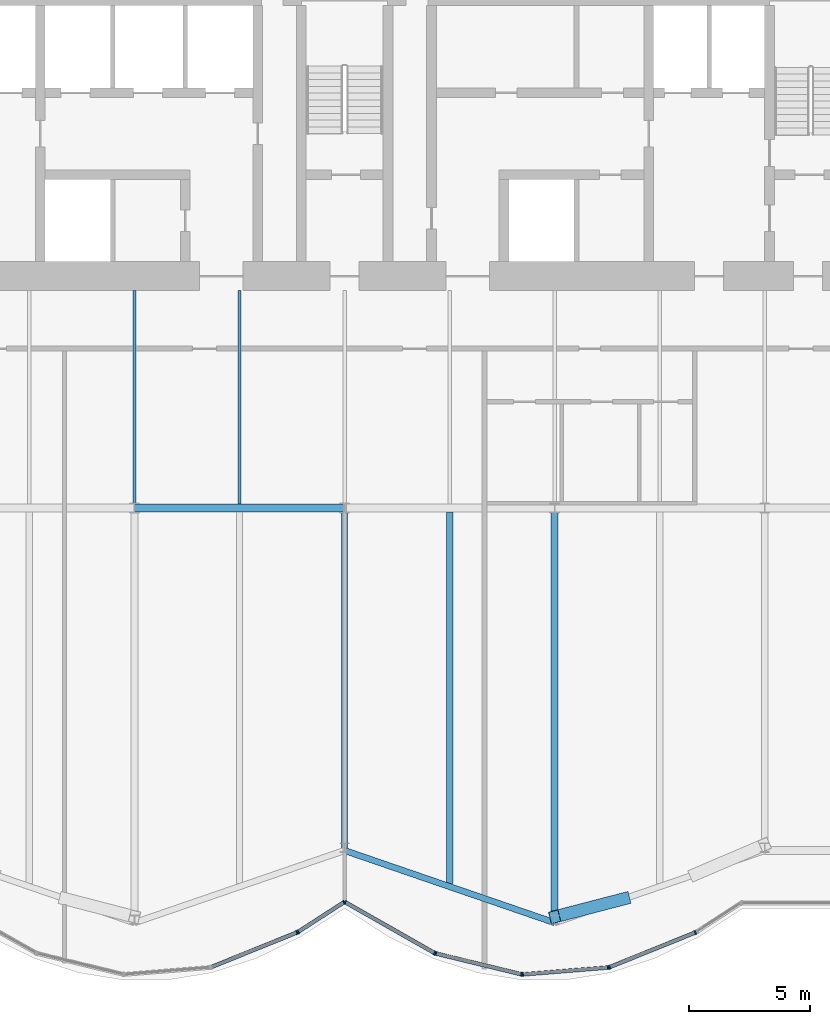
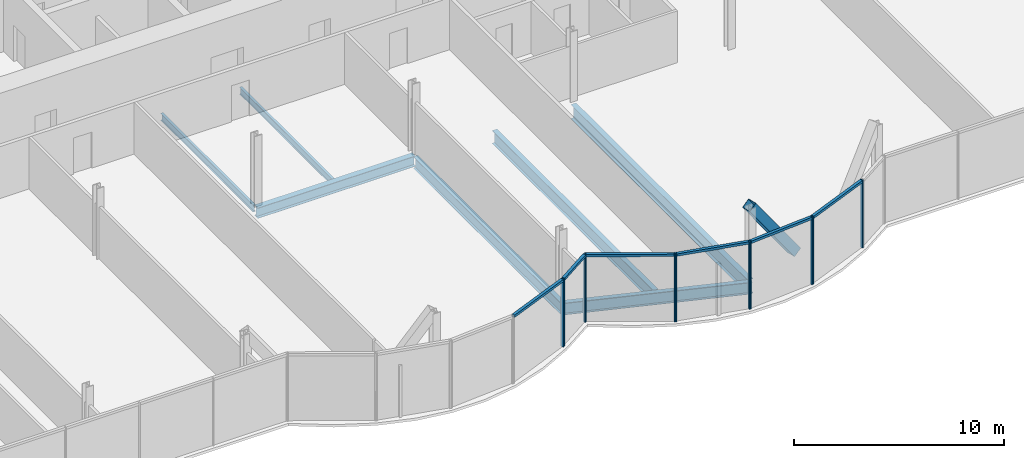
# One storey, part 7 of 21: 18 members, 7 beams, 2 elements without a shape of their own.
"""IFC4 building model written with IfcOpenShell, lengths in metres."""

from ifc_helpers import new_model, si_unit, direction, frame, origin, origin_2d, place, context, subcontext, project, spatial, rectangle, hollow_rectangle, i_section, extrude, material, material_profile, profile_set, type_object, element, aggregate, save


model = new_model("IFC4")

# Units and contexts
model_context = context("Model", 3, precision=1e-05, world=origin(), true_north=direction((0.0, 1.0)))
body_context = subcontext(model_context, "Body", "Model", "MODEL_VIEW")
ifc_project = project(units=[si_unit("LENGTHUNIT", "METRE"), si_unit("AREAUNIT", "SQUARE_METRE"), si_unit("VOLUMEUNIT", "CUBIC_METRE"), si_unit("PLANEANGLEUNIT", "RADIAN"), si_unit("MASSUNIT", "GRAM", prefix="KILO")], contexts=[model_context])

# Site, building, storey
site_placement = place(None, origin())
site = spatial("IfcSite", under=ifc_project, at=site_placement, CompositionType="ELEMENT")
building_placement = place(site_placement, origin())
building = spatial("IfcBuilding", under=site, at=building_placement, Name="Bicima Exchange Tower", CompositionType="ELEMENT")
storey_placement = place(building_placement, frame((0.0, 0.0, 98.10009765625)))
storey = spatial("IfcBuildingStorey", under=building, at=storey_placement, Name="L20", CompositionType="ELEMENT", Elevation=98.10009765625)

# Beams
ifc_material_1 = material(Name="Steel ASTM A992 Gr 50", Category="steel")
ifc_material_profile_1 = material_profile(ifc_material_1, i_section(OverallWidth=0.140380859375, OverallDepth=0.40380859375, WebThickness=0.007080078125, FlangeThickness=0.01123046875, at=origin_2d()))
ifc_profile_set_1 = profile_set([ifc_material_profile_1], Name="Steel ASTM A992 Gr 50")
beam_type_1 = type_object("IfcBeamType", Name="Floor beam W16x31", PredefinedType="JOIST", material=ifc_profile_set_1)
for number, where, z_axis, x_axis, name in (
    (1, (-8.699951171875, -13.0, -0.35205078125), (0.0, -1.0, 0.0), (1.0, 0.0, 0.0), "Floor beam"),
    (2, (-4.35009765625, -13.0, -0.35205078125), (0.0, -1.0, 0.0), (1.0, 0.0, 0.0), "Floor beam"),
):
    element("IfcBeam", number, at=place(storey_placement, frame(where, z_axis=z_axis, x_axis=x_axis)), inside=storey, type_object=beam_type_1, Name=name, PredefinedType="JOIST", context=body_context, shape_type="SweptSolid", body=[
        extrude(i_section(OverallWidth=0.140380859375, OverallDepth=0.40380859375, WebThickness=0.007080078125, FlangeThickness=0.01123046875, at=origin_2d()), origin(), (0.0, 0.0, 1.0), 8.83740234375),
    ])
ifc_material_profile_2 = material_profile(ifc_material_1, i_section(OverallWidth=0.25390625, OverallDepth=0.67822265625, WebThickness=0.01171875, FlangeThickness=0.016357421875, at=origin_2d()))
ifc_profile_set_2 = profile_set([ifc_material_profile_2], Name="Steel ASTM A992 Gr 50")
beam_type_2 = type_object("IfcBeamType", Name="Floor beam W27x84", PredefinedType="JOIST", material=ifc_profile_set_2)
beam_1_placement = place(storey_placement, frame((0.0, -22.16259765625, -0.4892578125), z_axis=(0.0, -1.0, 0.0), x_axis=(1.0, 0.0, 0.0)))
element("IfcBeam", 3, at=beam_1_placement, inside=storey, type_object=beam_type_2, Name="Floor beam", PredefinedType="JOIST", context=body_context, shape_type="SweptSolid", body=[
    extrude(i_section(OverallWidth=0.25390625, OverallDepth=0.67822265625, WebThickness=0.01171875, FlangeThickness=0.016357421875, at=origin_2d()), origin(), (0.0, 0.0, 1.0), 14.021484375),
])
ifc_material_profile_3 = material_profile(ifc_material_1, i_section(OverallWidth=0.2666015625, OverallDepth=0.75439453125, WebThickness=0.01318359375, FlangeThickness=0.01708984375, at=origin_2d()))
ifc_profile_set_3 = profile_set([ifc_material_profile_3], Name="Steel ASTM A992 Gr 50")
beam_type_3 = type_object("IfcBeamType", Name="Floor beam W30x99", PredefinedType="JOIST", material=ifc_profile_set_3)
beam_2_placement = place(storey_placement, frame((4.35009765625, -22.16259765625, -0.52734375), z_axis=(0.0, -1.0, 0.0), x_axis=(1.0, 0.0, 0.0)))
element("IfcBeam", 4, at=beam_2_placement, inside=storey, type_object=beam_type_3, Name="Floor beam", PredefinedType="JOIST", context=body_context, shape_type="SweptSolid", body=[
    extrude(i_section(OverallWidth=0.2666015625, OverallDepth=0.75439453125, WebThickness=0.01318359375, FlangeThickness=0.01708984375, at=origin_2d()), origin(), (0.0, 0.0, 1.0), 15.38134765625),
])
ifc_material_profile_4 = material_profile(ifc_material_1, i_section(OverallWidth=0.2919921875, OverallDepth=0.835693359375, WebThickness=0.013916015625, FlangeThickness=0.018798828125, at=origin_2d()))
ifc_profile_set_4 = profile_set([ifc_material_profile_4], Name="Steel ASTM A992 Gr 50")
beam_type_4 = type_object("IfcBeamType", Name="Floor beam W33x118", PredefinedType="JOIST", material=ifc_profile_set_4)
beam_3_placement = place(storey_placement, frame((8.699951171875, -22.16259765625, -0.56787109375), z_axis=(0.0, -1.0, 0.0), x_axis=(1.0, 0.0, 0.0)))
element("IfcBeam", 5, at=beam_3_placement, inside=storey, type_object=beam_type_4, Name="Floor beam", PredefinedType="JOIST", context=body_context, shape_type="SweptSolid", body=[
    extrude(i_section(OverallWidth=0.2919921875, OverallDepth=0.835693359375, WebThickness=0.013916015625, FlangeThickness=0.018798828125, at=origin_2d()), origin(), (0.0, 0.0, 1.0), 16.876708984375),
])
ifc_material_profile_5 = material_profile(ifc_material_1, i_section(OverallWidth=0.256591796875, OverallDepth=0.693359375, WebThickness=0.014404296875, FlangeThickness=0.023681640625, at=origin_2d()))
ifc_profile_set_5 = profile_set([ifc_material_profile_5], Name="Steel ASTM A992 Gr 50")
beam_type_5 = type_object("IfcBeamType", Name="Front girder W27x114", PredefinedType="BEAM", material=ifc_profile_set_5)
beam_4_placement = place(storey_placement, frame((0.0, -36.18408203125, -0.496826171875), z_axis=(0.945674616091, -0.32511462668, 0.0), x_axis=(0.32511462668, 0.945674616091, 0.0)))
element("IfcBeam", 6, at=beam_4_placement, inside=storey, type_object=beam_type_5, Name="Front girder", PredefinedType="BEAM", context=body_context, shape_type="SweptSolid", body=[
    extrude(i_section(OverallWidth=0.256591796875, OverallDepth=0.693359375, WebThickness=0.014404296875, FlangeThickness=0.023681640625, at=origin_2d()), origin(), (0.0, 0.0, 1.0), 9.19970703125),
])

# Curtain wall, members
ifc_material_2 = material(Name="Anodised bronze aluminium", Category="aluminium")
curtain_wall_type = type_object("IfcCurtainWallType", Name="Front glass wall", PredefinedType="NOTDEFINED", material=ifc_material_2)
curtain_wall_1_placement = place(storey_placement, origin())
curtain_wall_1 = element("IfcCurtainWall", 7, at=curtain_wall_1_placement, inside=storey, type_object=curtain_wall_type, Name="Front glass wall L20 run 6", PredefinedType="NOTDEFINED")
ifc_material_profile_6 = material_profile(ifc_material_2, rectangle(XDim=0.159912109375, YDim=0.06005859375, at=origin_2d()))
ifc_profile_set_6 = profile_set([ifc_material_profile_6], Name="Anodised bronze aluminium")
member_type_1 = type_object("IfcMemberType", Name="Front glass wall mullion 60 x 160", PredefinedType="MULLION", material=ifc_profile_set_6)
member_1_placement = place(storey_placement, frame((-1.97412109375, -39.57958984375, 0.0), z_axis=(0.0, 0.0, 1.0), x_axis=(-0.374705304, 0.92714396679, 0.0)))
member_1 = element("IfcMember", 8, at=member_1_placement, type_object=member_type_1, Name="Front glass wall mullion 2", PredefinedType="MULLION", context=body_context, shape_type="SweptSolid", body=[
    extrude(rectangle(XDim=0.159912109375, YDim=0.06005859375, at=origin_2d()), origin(), (0.0, 0.0, 1.0), 3.949951171875),
])
member_2_placement = place(storey_placement, frame((-1.921142578125, -39.552001953125, 0.0), z_axis=(0.0, 0.0, 1.0), x_axis=(-0.542897457326, 0.839798994301, 0.0)))
member_2 = element("IfcMember", 9, at=member_2_placement, type_object=member_type_1, Name="Front glass wall mullion 1", PredefinedType="MULLION", context=body_context, shape_type="SweptSolid", body=[
    extrude(rectangle(XDim=0.159912109375, YDim=0.06005859375, at=origin_2d()), origin(), (0.0, 0.0, 1.0), 3.949951171875),
])
member_3_placement = place(storey_placement, frame((-0.025146484375, -38.326416015625, 0.0), z_axis=(0.0, 0.0, 1.0), x_axis=(-0.542897457326, 0.839798994301, 0.0)))
member_3 = element("IfcMember", 10, at=member_3_placement, type_object=member_type_1, Name="Front glass wall mullion 2", PredefinedType="MULLION", context=body_context, shape_type="SweptSolid", body=[
    extrude(rectangle(XDim=0.159912109375, YDim=0.06005859375, at=origin_2d()), origin(), (0.0, 0.0, 1.0), 3.949951171875),
])

curtain_wall_2_placement = place(storey_placement, origin())
curtain_wall_2 = element("IfcCurtainWall", 11, at=curtain_wall_2_placement, inside=storey, type_object=curtain_wall_type, Name="Front glass wall L20 run 11", PredefinedType="NOTDEFINED")
member_4_placement = place(storey_placement, frame((0.026123046875, -38.324951171875, 0.0), z_axis=(0.0, 0.0, 1.0), x_axis=(0.494330311331, 0.869274147378, 0.0)))
member_4 = element("IfcMember", 12, at=member_4_placement, type_object=member_type_1, Name="Front glass wall mullion 1", PredefinedType="MULLION", context=body_context, shape_type="SweptSolid", body=[
    extrude(rectangle(XDim=0.159912109375, YDim=0.06005859375, at=origin_2d()), origin(), (0.0, 0.0, 1.0), 3.949951171875),
])
member_5_placement = place(storey_placement, frame((3.7265625, -40.429443359375, 0.0), z_axis=(0.0, 0.0, 1.0), x_axis=(0.494330311331, 0.869274147378, 0.0)))
member_5 = element("IfcMember", 13, at=member_5_placement, type_object=member_type_1, Name="Front glass wall mullion 2", PredefinedType="MULLION", context=body_context, shape_type="SweptSolid", body=[
    extrude(rectangle(XDim=0.159912109375, YDim=0.06005859375, at=origin_2d()), origin(), (0.0, 0.0, 1.0), 3.949951171875),
])
member_6_placement = place(storey_placement, frame((3.781982421875, -40.451416015625, 0.0), z_axis=(0.0, 0.0, 1.0), x_axis=(0.235681529503, 0.971830343553, 0.0)))
member_6 = element("IfcMember", 14, at=member_6_placement, type_object=member_type_1, Name="Front glass wall mullion 1", PredefinedType="MULLION", context=body_context, shape_type="SweptSolid", body=[
    extrude(rectangle(XDim=0.159912109375, YDim=0.06005859375, at=origin_2d()), origin(), (0.0, 0.0, 1.0), 3.949951171875),
])
member_7_placement = place(storey_placement, frame((7.322509765625, -41.309814453125, 0.0), z_axis=(0.0, 0.0, 1.0), x_axis=(0.235681529503, 0.971830343553, 0.0)))
member_7 = element("IfcMember", 15, at=member_7_placement, type_object=member_type_1, Name="Front glass wall mullion 2", PredefinedType="MULLION", context=body_context, shape_type="SweptSolid", body=[
    extrude(rectangle(XDim=0.159912109375, YDim=0.06005859375, at=origin_2d()), origin(), (0.0, 0.0, 1.0), 3.949951171875),
])
member_8_placement = place(storey_placement, frame((7.381591796875, -41.314697265625, 0.0), z_axis=(0.0, 0.0, 1.0), x_axis=(-0.080588612633, 0.99674744821, 0.0)))
member_8 = element("IfcMember", 16, at=member_8_placement, type_object=member_type_1, Name="Front glass wall mullion 1", PredefinedType="MULLION", context=body_context, shape_type="SweptSolid", body=[
    extrude(rectangle(XDim=0.159912109375, YDim=0.06005859375, at=origin_2d()), origin(), (0.0, 0.0, 1.0), 3.949951171875),
])
member_9_placement = place(storey_placement, frame((10.916015625, -41.02880859375, 0.0), z_axis=(0.0, 0.0, 1.0), x_axis=(-0.080588612633, 0.99674744821, 0.0)))
member_9 = element("IfcMember", 17, at=member_9_placement, type_object=member_type_1, Name="Front glass wall mullion 2", PredefinedType="MULLION", context=body_context, shape_type="SweptSolid", body=[
    extrude(rectangle(XDim=0.159912109375, YDim=0.06005859375, at=origin_2d()), origin(), (0.0, 0.0, 1.0), 3.949951171875),
])
member_10_placement = place(storey_placement, frame((10.973876953125, -41.01513671875, 0.0), z_axis=(0.0, 0.0, 1.0), x_axis=(-0.374705304, 0.92714396679, 0.0)))
member_10 = element("IfcMember", 18, at=member_10_placement, type_object=member_type_1, Name="Front glass wall mullion 1", PredefinedType="MULLION", context=body_context, shape_type="SweptSolid", body=[
    extrude(rectangle(XDim=0.159912109375, YDim=0.06005859375, at=origin_2d()), origin(), (0.0, 0.0, 1.0), 3.949951171875),
])
member_11_placement = place(storey_placement, frame((14.52587890625, -39.57958984375, 0.0), z_axis=(0.0, 0.0, 1.0), x_axis=(-0.374705304, 0.92714396679, 0.0)))
member_11 = element("IfcMember", 19, at=member_11_placement, type_object=member_type_1, Name="Front glass wall mullion 2", PredefinedType="MULLION", context=body_context, shape_type="SweptSolid", body=[
    extrude(rectangle(XDim=0.159912109375, YDim=0.06005859375, at=origin_2d()), origin(), (0.0, 0.0, 1.0), 3.949951171875),
])

# Member
ifc_material_profile_7 = material_profile(ifc_material_2, rectangle(XDim=0.159912109375, YDim=0.139892578125, at=origin_2d()))
ifc_profile_set_7 = profile_set([ifc_material_profile_7], Name="Anodised bronze aluminium")
member_type_2 = type_object("IfcMemberType", Name="Front glass wall transom 140 x 160", PredefinedType="USERDEFINED", material=ifc_profile_set_7)
member_12_placement = place(storey_placement, frame((-5.498291015625, -41.00390625, 3.8798828125), z_axis=(0.927140215882, 0.374714584842, 0.0), x_axis=(-0.374714584842, 0.927140215882, 0.0)))
member_12 = element("IfcMember", 20, at=member_12_placement, type_object=member_type_2, Name="Front glass wall transom 1.1", ObjectType="TRANSOM", PredefinedType="USERDEFINED", context=body_context, shape_type="SweptSolid", body=[
    extrude(rectangle(XDim=0.159912109375, YDim=0.139892578125, at=origin_2d()), origin(), (0.0, 0.0, 1.0), 3.77099609375),
])

member_13_placement = place(storey_placement, frame((-1.89599609375, -39.535888671875, 3.8798828125), z_axis=(0.839811483481, 0.542878137536, 0.0), x_axis=(-0.542878137536, 0.839811483481, 0.0)))
member_13 = element("IfcMember", 21, at=member_13_placement, type_object=member_type_2, Name="Front glass wall transom 1.1", ObjectType="TRANSOM", PredefinedType="USERDEFINED", context=body_context, shape_type="SweptSolid", body=[
    extrude(rectangle(XDim=0.159912109375, YDim=0.139892578125, at=origin_2d()), origin(), (0.0, 0.0, 1.0), 2.19775390625),
])

aggregate(curtain_wall_1, [member_1, member_12, member_2, member_3, member_13])

member_14_placement = place(storey_placement, frame((0.05224609375, -38.33984375, 3.8798828125), z_axis=(0.869265121745, -0.494346182466, 0.0), x_axis=(0.494346182466, 0.869265121745, 0.0)))
member_14 = element("IfcMember", 22, at=member_14_placement, type_object=member_type_2, Name="Front glass wall transom 1.1", ObjectType="TRANSOM", PredefinedType="USERDEFINED", context=body_context, shape_type="SweptSolid", body=[
    extrude(rectangle(XDim=0.159912109375, YDim=0.139892578125, at=origin_2d()), origin(), (0.0, 0.0, 1.0), 4.19677734375),
])

member_15_placement = place(storey_placement, frame((3.81103515625, -40.458251953125, 3.8798828125), z_axis=(0.971817951661, -0.235732621477, 0.0), x_axis=(0.235732621477, 0.971817951661, 0.0)))
member_15 = element("IfcMember", 23, at=member_15_placement, type_object=member_type_2, Name="Front glass wall transom 1.1", ObjectType="TRANSOM", PredefinedType="USERDEFINED", context=body_context, shape_type="SweptSolid", body=[
    extrude(rectangle(XDim=0.159912109375, YDim=0.139892578125, at=origin_2d()), origin(), (0.0, 0.0, 1.0), 3.58349609375),
])

member_16_placement = place(storey_placement, frame((7.41162109375, -41.312255859375, 3.8798828125), z_axis=(0.9967456465, 0.080610893699, 0.0), x_axis=(-0.080610893699, 0.9967456465, 0.0)))
member_16 = element("IfcMember", 24, at=member_16_placement, type_object=member_type_2, Name="Front glass wall transom 1.1", ObjectType="TRANSOM", PredefinedType="USERDEFINED", context=body_context, shape_type="SweptSolid", body=[
    extrude(rectangle(XDim=0.159912109375, YDim=0.139892578125, at=origin_2d()), origin(), (0.0, 0.0, 1.0), 3.48583984375),
])

member_17_placement = place(storey_placement, frame((11.001708984375, -41.00390625, 3.8798828125), z_axis=(0.927140215882, 0.374714584842, 0.0), x_axis=(-0.374714584842, 0.927140215882, 0.0)))
member_17 = element("IfcMember", 25, at=member_17_placement, type_object=member_type_2, Name="Front glass wall transom 1.1", ObjectType="TRANSOM", PredefinedType="USERDEFINED", context=body_context, shape_type="SweptSolid", body=[
    extrude(rectangle(XDim=0.159912109375, YDim=0.139892578125, at=origin_2d()), origin(), (0.0, 0.0, 1.0), 3.77099609375),
])

aggregate(curtain_wall_2, [member_4, member_5, member_14, member_6, member_7, member_15, member_8, member_9, member_16, member_10, member_11, member_17])

ifc_material_3 = material(Name="Steel ASTM A572 Gr 50", Category="steel")
ifc_material_profile_8 = material_profile(ifc_material_3, hollow_rectangle(XDim=0.508056640625, YDim=0.508056640625, WallThickness=0.0146484375, at=origin_2d()))
ifc_profile_set_8 = profile_set([ifc_material_profile_8], Name="Steel ASTM A572 Gr 50")
member_type_3 = type_object("IfcMemberType", Name="Mega brace HSS20x20x5/8", PredefinedType="BRACE", material=ifc_profile_set_8)
member_18_placement = place(storey_placement, frame((11.60009765625, -38.177978515625, 0.0), z_axis=(-0.571110577568, -0.148318556427, 0.807362566639), x_axis=(0.251363668904, -0.967892714073, 0.0)))
element("IfcMember", 26, at=member_18_placement, inside=storey, type_object=member_type_3, Name="Mega brace front", PredefinedType="BRACE", context=body_context, shape_type="SweptSolid", body=[
    extrude(hollow_rectangle(XDim=0.508056640625, YDim=0.508056640625, WallThickness=0.0146484375, at=origin_2d()), origin(), (0.0, 0.0, 1.0), 5.078125),
])

# Beam
ifc_material_profile_9 = material_profile(ifc_material_1, i_section(OverallWidth=0.3251953125, OverallDepth=0.612060546875, WebThickness=0.0126953125, FlangeThickness=0.01904296875, at=origin_2d()))
ifc_profile_set_9 = profile_set([ifc_material_profile_9], Name="Steel ASTM A992 Gr 50")
beam_type_6 = type_object("IfcBeamType", Name="Row girder W24x104", PredefinedType="BEAM", material=ifc_profile_set_9)
beam_5_placement = place(storey_placement, frame((-8.699951171875, -22.0, -0.456298828125), z_axis=(1.0, 0.0, 0.0), x_axis=(0.0, 1.0, 0.0)))
element("IfcBeam", 27, at=beam_5_placement, inside=storey, type_object=beam_type_6, Name="Row girder", PredefinedType="BEAM", context=body_context, shape_type="SweptSolid", body=[
    extrude(i_section(OverallWidth=0.3251953125, OverallDepth=0.612060546875, WebThickness=0.0126953125, FlangeThickness=0.01904296875, at=origin_2d()), origin(), (0.0, 0.0, 1.0), 8.699951171875),
])

save(model, "model.ifc")
